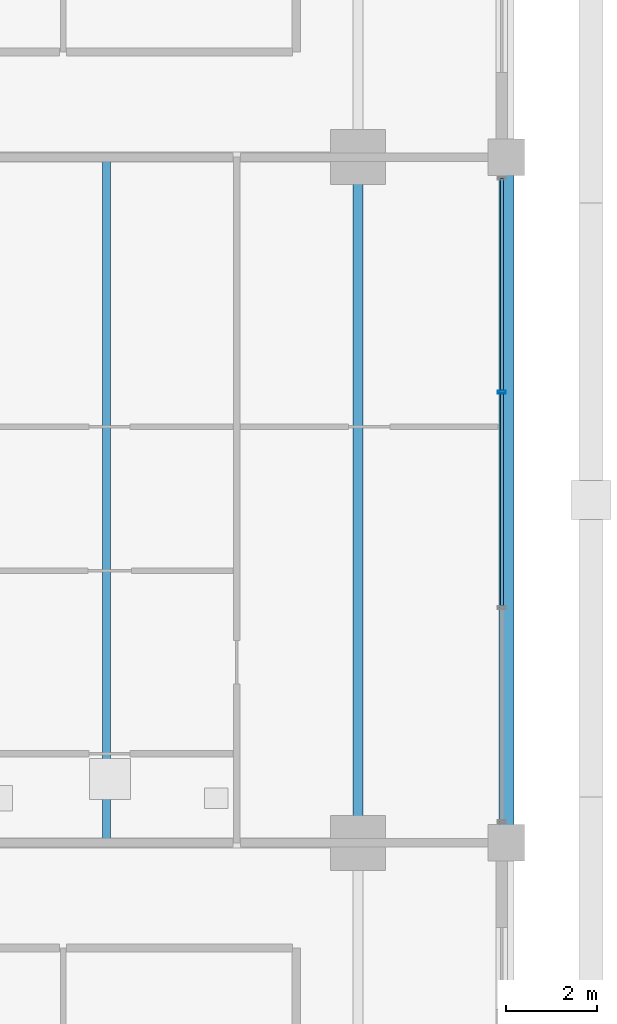
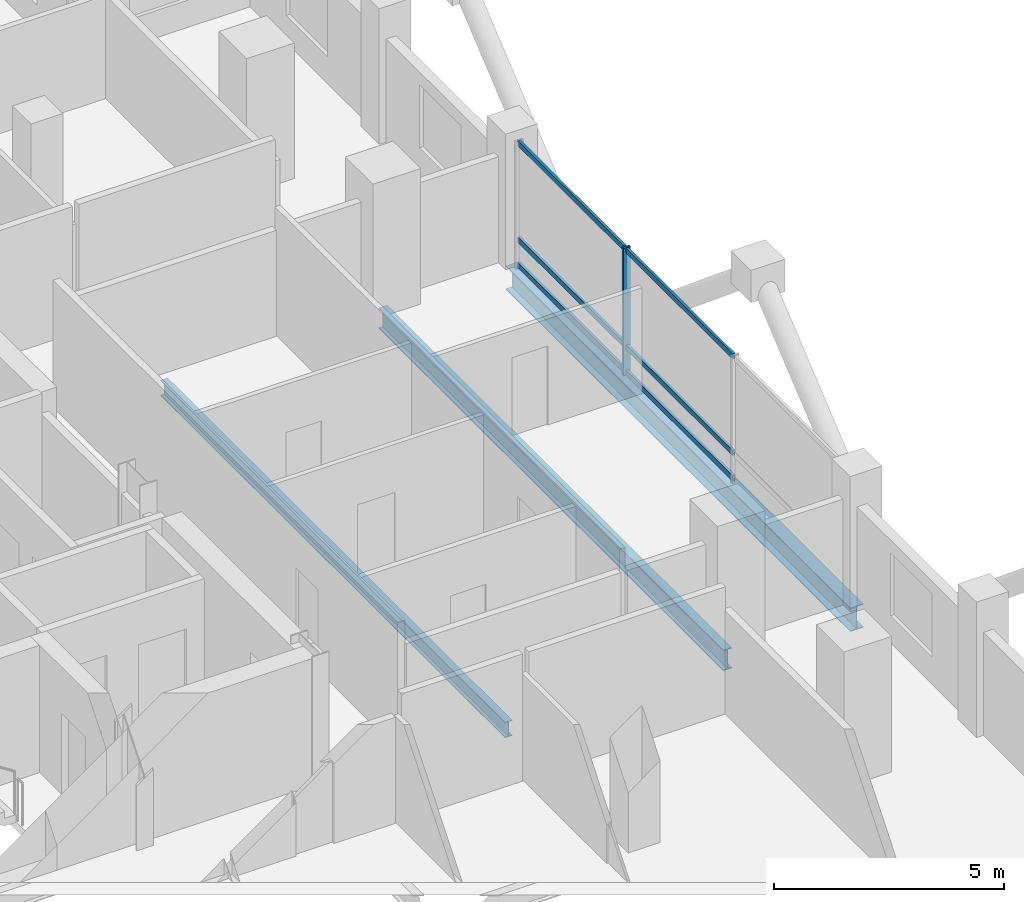
# One storey, part 9 of 23: 7 members, 3 beams, 1 element without a shape of its own.
"""IFC4 building model written with IfcOpenShell, lengths in metres."""

from ifc_helpers import new_model, si_unit, direction, frame, origin, origin_2d, place, context, subcontext, project, spatial, hollow_rectangle, i_section, extrude, material, layer, layer_set, material_profile, profile_set, type_object, element, aggregate, save


model = new_model("IFC4")

# Units and contexts
model_context = context("Model", 3, precision=1e-05, world=origin(), true_north=direction((0.0, 1.0)))
body_context = subcontext(model_context, "Body", "Model", "MODEL_VIEW")
ifc_project = project(units=[si_unit("LENGTHUNIT", "METRE"), si_unit("AREAUNIT", "SQUARE_METRE"), si_unit("VOLUMEUNIT", "CUBIC_METRE"), si_unit("PLANEANGLEUNIT", "RADIAN"), si_unit("MASSUNIT", "GRAM", prefix="KILO")], contexts=[model_context])

# Site, building, storey
site_placement = place(None, origin())
site = spatial("IfcSite", under=ifc_project, at=site_placement, CompositionType="ELEMENT")
building_placement = place(site_placement, origin())
building = spatial("IfcBuilding", under=site, at=building_placement, Name="Barlavira Tower and Art Museum", CompositionType="ELEMENT")
storey_placement = place(building_placement, frame((0.0, 0.0, 151.199951171875)))
storey = spatial("IfcBuildingStorey", under=building, at=storey_placement, Name="L38", CompositionType="ELEMENT", Elevation=151.199951171875)

# Curtain wall, members
ifc_material_1 = material(Name="Low-iron coastal laminated glass", Category="glass")
ifc_layer = layer(ifc_material_1, 0.18994140625, Name="Low-iron coastal laminated glass")
ifc_layer_set = layer_set([ifc_layer], Name="Low-iron coastal laminated glass")
curtain_wall_type = type_object("IfcCurtainWallType", Name="Pale-Metal Unitised Curtain Wall Zone 2", PredefinedType="NOTDEFINED", material=ifc_layer_set)
curtain_wall_placement = place(storey_placement, origin())
curtain_wall = element("IfcCurtainWall", 1, at=curtain_wall_placement, inside=storey, type_object=curtain_wall_type, Name="L38 Curtain Wall CW2-L38-E-B3", PredefinedType="NOTDEFINED")
ifc_material_2 = material(Name="Pale anodised aluminium", Category="aluminium")
ifc_material_profile_1 = material_profile(ifc_material_2, hollow_rectangle(XDim=0.06494140625, YDim=0.179931640625, WallThickness=0.00390625, at=origin_2d()), Name="ALU-MULL 65x180x4")
ifc_profile_set_1 = profile_set([ifc_material_profile_1], Name="Pale anodised aluminium")
member_type_1 = type_object("IfcMemberType", Name="Curtain Wall Pale-Metal Mullion 65x180", PredefinedType="MULLION", material=ifc_profile_set_1)
member_1_placement = place(storey_placement, frame((20.14990234375, 2.360107421875, 0.0), z_axis=(0.0, 0.0, 1.0), x_axis=(0.0, 1.0, 0.0)))
member_1 = element("IfcMember", 2, at=member_1_placement, type_object=member_type_1, Name="CW2-L38-E-B3 Mullion 2", PredefinedType="MULLION", context=body_context, shape_type="SweptSolid", body=[
    extrude(hollow_rectangle(XDim=0.06494140625, YDim=0.179931640625, WallThickness=0.00390625, at=origin_2d()), origin(), (0.0, 0.0, 1.0), 3.380126953125),
])
ifc_material_profile_2 = material_profile(ifc_material_2, hollow_rectangle(XDim=0.06494140625, YDim=0.139892578125, WallThickness=0.00390625, at=origin_2d()), Name="ALU-TRAN 65x140x4")
ifc_profile_set_2 = profile_set([ifc_material_profile_2], Name="Pale anodised aluminium")
member_type_2 = type_object("IfcMemberType", Name="Curtain Wall Pale-Metal Transom 65x140", PredefinedType="USERDEFINED", material=ifc_profile_set_2)
member_2_placement = place(storey_placement, frame((20.14990234375, -2.31494140625, 0.070068359375), z_axis=(0.0, 1.0, 0.0), x_axis=(-1.0, 0.0, 0.0)))
member_2 = element("IfcMember", 3, at=member_2_placement, type_object=member_type_2, Name="CW2-L38-E-B3 Transom 1.1", ObjectType="TRANSOM", PredefinedType="USERDEFINED", context=body_context, shape_type="SweptSolid", body=[
    extrude(hollow_rectangle(XDim=0.06494140625, YDim=0.139892578125, WallThickness=0.00390625, at=origin_2d()), origin(), (0.0, 0.0, 1.0), 4.6298828125),
])
member_3_placement = place(storey_placement, frame((20.14990234375, -2.31494140625, 0.744140625), z_axis=(0.0, 1.0, 0.0), x_axis=(-1.0, 0.0, 0.0)))
member_3 = element("IfcMember", 4, at=member_3_placement, type_object=member_type_2, Name="CW2-L38-E-B3 Transom 1.2", ObjectType="TRANSOM", PredefinedType="USERDEFINED", context=body_context, shape_type="SweptSolid", body=[
    extrude(hollow_rectangle(XDim=0.06494140625, YDim=0.139892578125, WallThickness=0.00390625, at=origin_2d()), origin(), (0.0, 0.0, 1.0), 4.6298828125),
])
member_4_placement = place(storey_placement, frame((20.14990234375, -2.31494140625, 3.31005859375), z_axis=(0.0, 1.0, 0.0), x_axis=(-1.0, 0.0, 0.0)))
member_4 = element("IfcMember", 5, at=member_4_placement, type_object=member_type_2, Name="CW2-L38-E-B3 Transom 1.3", ObjectType="TRANSOM", PredefinedType="USERDEFINED", context=body_context, shape_type="SweptSolid", body=[
    extrude(hollow_rectangle(XDim=0.06494140625, YDim=0.139892578125, WallThickness=0.00390625, at=origin_2d()), origin(), (0.0, 0.0, 1.0), 4.6298828125),
])
member_5_placement = place(storey_placement, frame((20.14990234375, 2.405029296875, 0.070068359375), z_axis=(0.0, 1.0, 0.0), x_axis=(-1.0, 0.0, 0.0)))
member_5 = element("IfcMember", 6, at=member_5_placement, type_object=member_type_2, Name="CW2-L38-E-B3 Transom 2.1", ObjectType="TRANSOM", PredefinedType="USERDEFINED", context=body_context, shape_type="SweptSolid", body=[
    extrude(hollow_rectangle(XDim=0.06494140625, YDim=0.139892578125, WallThickness=0.00390625, at=origin_2d()), origin(), (0.0, 0.0, 1.0), 4.6298828125),
])
member_6_placement = place(storey_placement, frame((20.14990234375, 2.405029296875, 0.744140625), z_axis=(0.0, 1.0, 0.0), x_axis=(-1.0, 0.0, 0.0)))
member_6 = element("IfcMember", 7, at=member_6_placement, type_object=member_type_2, Name="CW2-L38-E-B3 Transom 2.2", ObjectType="TRANSOM", PredefinedType="USERDEFINED", context=body_context, shape_type="SweptSolid", body=[
    extrude(hollow_rectangle(XDim=0.06494140625, YDim=0.139892578125, WallThickness=0.00390625, at=origin_2d()), origin(), (0.0, 0.0, 1.0), 4.6298828125),
])
member_7_placement = place(storey_placement, frame((20.14990234375, 2.405029296875, 3.31005859375), z_axis=(0.0, 1.0, 0.0), x_axis=(-1.0, 0.0, 0.0)))
member_7 = element("IfcMember", 8, at=member_7_placement, type_object=member_type_2, Name="CW2-L38-E-B3 Transom 2.3", ObjectType="TRANSOM", PredefinedType="USERDEFINED", context=body_context, shape_type="SweptSolid", body=[
    extrude(hollow_rectangle(XDim=0.06494140625, YDim=0.139892578125, WallThickness=0.00390625, at=origin_2d()), origin(), (0.0, 0.0, 1.0), 4.6298828125),
])
aggregate(curtain_wall, [member_1, member_2, member_3, member_4, member_5, member_6, member_7])

# Beams
ifc_material_3 = material(Name="Steel S355", Category="steel")
ifc_material_profile_3 = material_profile(ifc_material_3, i_section(OverallWidth=0.327880859375, OverallDepth=0.62890625, WebThickness=0.013916015625, FlangeThickness=0.021484375, at=origin_2d()), Name="W610x174.0")
ifc_profile_set_3 = profile_set([ifc_material_profile_3], Name="Steel S355")
beam_type_1 = type_object("IfcBeamType", Name="Perimeter Spandrel Edge Beam W610x174 Steel S355", PredefinedType="SPANDREL", material=ifc_profile_set_3)
beam_1_placement = place(storey_placement, frame((20.25, -7.5, -0.534423828125), z_axis=(0.0, 1.0, 0.0), x_axis=(-1.0, 0.0, 0.0)))
element("IfcBeam", 9, at=beam_1_placement, inside=storey, type_object=beam_type_1, Name="L38 Spandrel 6", PredefinedType="SPANDREL", context=body_context, shape_type="SweptSolid", body=[
    extrude(i_section(OverallWidth=0.327880859375, OverallDepth=0.62890625, WebThickness=0.013916015625, FlangeThickness=0.021484375, at=origin_2d()), origin(), (0.0, 0.0, 1.0), 15.0),
])
ifc_material_profile_4 = material_profile(ifc_material_3, i_section(OverallWidth=0.214111328125, OverallDepth=0.549072265625, WebThickness=0.0146484375, FlangeThickness=0.023681640625, at=origin_2d()), Name="W530x138.0")
ifc_profile_set_4 = profile_set([ifc_material_profile_4], Name="Steel S355")
beam_type_2 = type_object("IfcBeamType", Name="Zone 1 Primary Floor Girder W530x138 Steel S355", PredefinedType="BEAM", material=ifc_profile_set_4)
beam_2_placement = place(storey_placement, frame((17.0, -7.5, -0.494384765625), z_axis=(0.0, 1.0, 0.0), x_axis=(-1.0, 0.0, 0.0)))
element("IfcBeam", 10, at=beam_2_placement, inside=storey, type_object=beam_type_2, Name="L38 Girder M-E2", PredefinedType="BEAM", context=body_context, shape_type="SweptSolid", body=[
    extrude(i_section(OverallWidth=0.214111328125, OverallDepth=0.549072265625, WebThickness=0.0146484375, FlangeThickness=0.023681640625, at=origin_2d()), origin(), (0.0, 0.0, 1.0), 15.0),
])
ifc_material_profile_5 = material_profile(ifc_material_3, i_section(OverallWidth=0.179931640625, OverallDepth=0.4130859375, WebThickness=0.009765625, FlangeThickness=0.01611328125, at=origin_2d()), Name="W410x75.0")
ifc_profile_set_5 = profile_set([ifc_material_profile_5], Name="Steel S355")
beam_type_3 = type_object("IfcBeamType", Name="Zone 2 Composite Floor Joist W410x75 Steel S355", PredefinedType="JOIST", material=ifc_profile_set_5)
beam_3_placement = place(storey_placement, frame((11.5, -7.5, -0.426513671875), z_axis=(0.0, 1.0, 0.0), x_axis=(-1.0, 0.0, 0.0)))
element("IfcBeam", 11, at=beam_3_placement, inside=storey, type_object=beam_type_3, Name="L38 Joist W2", PredefinedType="JOIST", context=body_context, shape_type="SweptSolid", body=[
    extrude(i_section(OverallWidth=0.179931640625, OverallDepth=0.4130859375, WebThickness=0.009765625, FlangeThickness=0.01611328125, at=origin_2d()), origin(), (0.0, 0.0, 1.0), 15.0),
])

save(model, "model.ifc")
